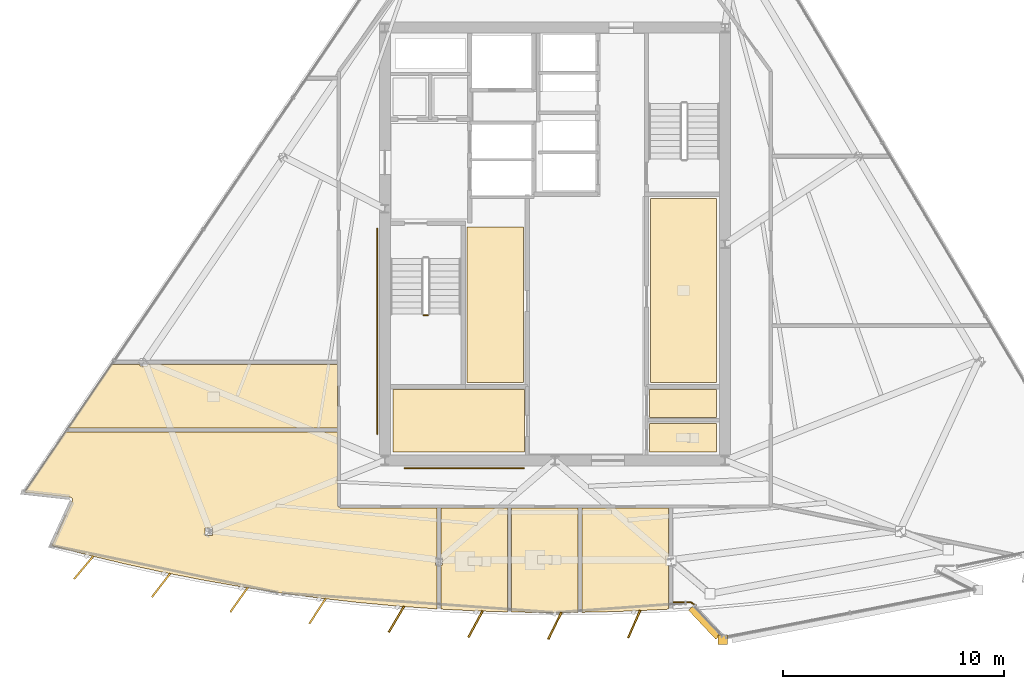
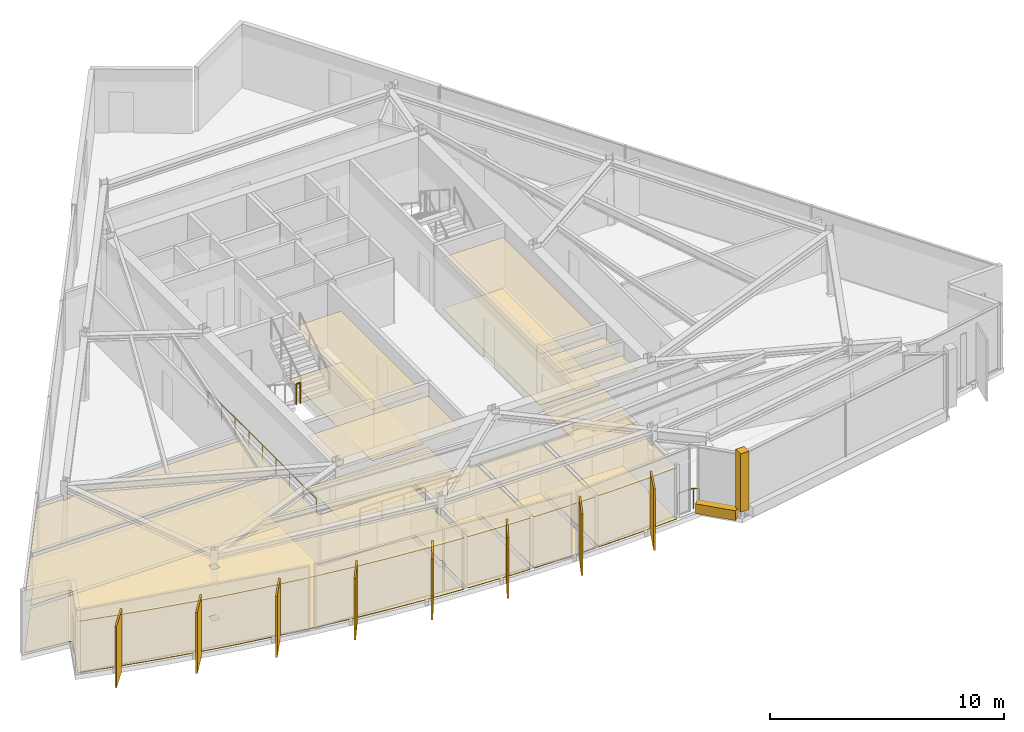
# One storey, part 9 of 12: 22 coverings, 8 shading devices, 4 railings.
"""IFC4 building model written with IfcOpenShell, lengths in metres."""

from ifc_helpers import new_model, si_unit, direction, frame, origin, origin_2d, place, context, subcontext, project, spatial, polyline, rectangle, circle, outline, extrude, material, layer, layer_set, type_object, element, save


model = new_model("IFC4")

# Units and contexts
model_context = context("Model", 3, precision=1e-05, world=origin(), true_north=direction((0.0, 1.0)))
body_context = subcontext(model_context, "Body", "Model", "MODEL_VIEW")
ifc_project = project(units=[si_unit("LENGTHUNIT", "METRE"), si_unit("AREAUNIT", "SQUARE_METRE"), si_unit("VOLUMEUNIT", "CUBIC_METRE"), si_unit("PLANEANGLEUNIT", "RADIAN"), si_unit("MASSUNIT", "GRAM", prefix="KILO")], contexts=[model_context])

# Site, building, storey
site_placement = place(None, origin())
site = spatial("IfcSite", under=ifc_project, at=site_placement, CompositionType="ELEMENT")
building_placement = place(site_placement, origin())
building = spatial("IfcBuilding", under=site, at=building_placement, Name="Savorim Split Tower", CompositionType="ELEMENT")
storey_placement = place(building_placement, frame((0.0, 0.0, 261.60009765625)))
storey = spatial("IfcBuildingStorey", under=building, at=storey_placement, Name="L69", CompositionType="ELEMENT", Elevation=261.60009765625)

# Coverings
ifc_material_1 = material(Name="Mineral Fibre Acoustic Ceiling")
ifc_layer_1 = layer(ifc_material_1, 0.02490234375)
ifc_layer_set_1 = layer_set([ifc_layer_1], Name="COV-CEIL-25")
covering_type_1 = type_object("IfcCoveringType", Name="COV-CEIL-25", PredefinedType="CEILING", material=ifc_layer_set_1)
covering_1_placement = place(storey_placement, frame((0.0, 0.0, 2.669921875)))
element("IfcCovering", 1, at=covering_1_placement, inside=storey, type_object=covering_type_1, Name="L69 Community Laundry Room Acoustic Ceiling", PredefinedType="CEILING", context=body_context, shape_type="SweptSolid", body=[
    extrude(outline(polyline([(4.330078125, 2.469970703125), (4.330078125, -5.8701171875), (7.320068359375, -5.8701171875), (7.320068359375, 2.469970703125), (4.330078125, 2.469970703125)])), origin(), (0.0, 0.0, 1.0), 0.02490234375),
])
covering_2_placement = place(storey_placement, frame((0.0, 0.0, 2.669921875)))
element("IfcCovering", 2, at=covering_2_placement, inside=storey, type_object=covering_type_1, Name="L69 Quiet Study Room Acoustic Ceiling", PredefinedType="CEILING", context=body_context, shape_type="SweptSolid", body=[
    extrude(outline(polyline([(-3.969970703125, 1.169921875), (-3.969970703125, -5.8701171875), (-1.429931640625, -5.8701171875), (-1.429931640625, 1.169921875), (-3.969970703125, 1.169921875)])), origin(), (0.0, 0.0, 1.0), 0.02490234375),
])
covering_3_placement = place(storey_placement, frame((0.0, 0.0, 2.669921875)))
element("IfcCovering", 3, at=covering_3_placement, inside=storey, type_object=covering_type_1, Name="L69 Housekeeping Store Acoustic Ceiling", PredefinedType="CEILING", context=body_context, shape_type="SweptSolid", body=[
    extrude(outline(polyline([(-7.320068359375, -6.179931640625), (-7.320068359375, -9.02001953125), (-1.3798828125, -9.02001953125), (-1.3798828125, -6.179931640625), (-7.320068359375, -6.179931640625)])), origin(), (0.0, 0.0, 1.0), 0.02490234375),
])
covering_4_placement = place(storey_placement, frame((0.0, 0.0, 2.669921875)))
element("IfcCovering", 4, at=covering_4_placement, inside=storey, type_object=covering_type_1, Name="L69 Accessible WC Acoustic Ceiling", PredefinedType="CEILING", context=body_context, shape_type="SweptSolid", body=[
    extrude(outline(polyline([(4.280029296875, -7.719970703125), (4.280029296875, -9.02001953125), (7.320068359375, -9.02001953125), (7.320068359375, -7.719970703125), (4.280029296875, -7.719970703125)])), origin(), (0.0, 0.0, 1.0), 0.02490234375),
])
covering_5_placement = place(storey_placement, frame((0.0, 0.0, 2.669921875)))
element("IfcCovering", 5, at=covering_5_placement, inside=storey, type_object=covering_type_1, Name="L69 Cleaning Store Acoustic Ceiling", PredefinedType="CEILING", context=body_context, shape_type="SweptSolid", body=[
    extrude(outline(polyline([(4.280029296875, -6.179931640625), (4.280029296875, -7.43994140625), (7.320068359375, -7.43994140625), (7.320068359375, -6.179931640625), (4.280029296875, -6.179931640625)])), origin(), (0.0, 0.0, 1.0), 0.02490234375),
])
covering_6_placement = place(storey_placement, frame((0.0, 0.0, 2.669921875)))
element("IfcCovering", 6, at=covering_6_placement, inside=storey, type_object=covering_type_1, Name="L69 Shared Kitchen Acoustic Ceiling", PredefinedType="CEILING", context=body_context, shape_type="SweptSolid", body=[
    extrude(outline(polyline([(-19.9482421875, -5.045654296875), (-20.043212890625, -5.045654296875), (-20.043212890625, -5.00146484375), (-22.026123046875, -7.916259765625), (-9.840087890625, -7.916259765625), (-9.840087890625, -5.045654296875), (-18.448486328125, -5.045654296875), (-18.448486328125, -5.12548828125), (-18.777587890625, -5.12548828125), (-18.777587890625, -5.045654296875), (-19.9482421875, -5.045654296875)])), origin(), (0.0, 0.0, 1.0), 0.02490234375),
])
covering_7_placement = place(storey_placement, frame((0.0, 0.0, 2.669921875)))
element("IfcCovering", 7, at=covering_7_placement, inside=storey, type_object=covering_type_1, Name="L69 Co-Working Commons Acoustic Ceiling", PredefinedType="CEILING", context=body_context, shape_type="SweptSolid", body=[
    extrude(outline(polyline([(-21.83837890625, -11.17236328125), (-21.83837890625, -11.18408203125), (-21.839111328125, -11.196044921875), (-21.84130859375, -11.2080078125), (-21.8447265625, -11.21923828125), (-21.84912109375, -11.23046875), (-22.7783203125, -13.2529296875), (-21.18994140625, -13.668212890625), (-19.45556640625, -14.084228515625), (-17.712890625, -14.464599609375), (-15.962646484375, -14.80908203125), (-14.2060546875, -15.117919921875), (-12.443359375, -15.390380859375), (-10.67529296875, -15.626953125), (-8.90283203125, -15.827392578125), (-7.126953125, -15.991455078125), (-5.34765625, -16.118896484375), (-5.34619140625, -16.119140625), (-5.34619140625, -14.14013671875), (-5.415771484375, -14.14013671875), (-5.415771484375, -13.7900390625), (-5.34619140625, -13.7900390625), (-5.34619140625, -11.5400390625), (-9.699951171875, -11.5400390625), (-9.713623046875, -11.539306640625), (-9.727294921875, -11.537353515625), (-9.740478515625, -11.533935546875), (-9.753662109375, -11.529296875), (-9.76611328125, -11.5234375), (-9.77783203125, -11.516357421875), (-9.788818359375, -11.50830078125), (-9.799072265625, -11.4990234375), (-9.80810546875, -11.48876953125), (-9.81640625, -11.477783203125), (-9.823486328125, -11.466064453125), (-9.829345703125, -11.45361328125), (-9.833984375, -11.440673828125), (-9.83740234375, -11.42724609375), (-9.83935546875, -11.413818359375), (-9.840087890625, -11.39990234375), (-9.840087890625, -8.106201171875), (-22.1552734375, -8.106201171875), (-24.0087890625, -10.83056640625), (-21.94482421875, -11.06103515625), (-21.93310546875, -11.06298828125), (-21.921630859375, -11.06591796875), (-21.910400390625, -11.0703125), (-21.899658203125, -11.075439453125), (-21.8896484375, -11.081787109375), (-21.880126953125, -11.089111328125), (-21.87158203125, -11.097412109375), (-21.86376953125, -11.1064453125), (-21.856689453125, -11.1162109375), (-21.850830078125, -11.12646484375), (-21.84619140625, -11.137451171875), (-21.84228515625, -11.148681640625), (-21.83984375, -11.160400390625), (-21.83837890625, -11.17236328125)]), holes=[polyline([(-15.8330078125, -12.802490234375), (-15.50390625, -12.802490234375), (-15.50390625, -12.45263671875), (-15.8330078125, -12.45263671875), (-15.8330078125, -12.802490234375)])]), origin(), (0.0, 0.0, 1.0), 0.02490234375),
])
covering_8_placement = place(storey_placement, frame((0.0, 0.0, 2.669921875)))
element("IfcCovering", 8, at=covering_8_placement, inside=storey, type_object=covering_type_1, Name="L69 Shared Bathroom Acoustic Ceiling", PredefinedType="CEILING", context=body_context, shape_type="SweptSolid", body=[
    extrude(outline(polyline([(-5.15625, -16.073974609375), (-5.15625, -16.12890625), (-3.56640625, -16.210205078125), (-2.1494140625, -16.253662109375), (-2.1494140625, -11.5400390625), (-5.15625, -11.5400390625), (-5.15625, -13.7900390625), (-5.0869140625, -13.7900390625), (-5.0869140625, -14.14013671875), (-5.15625, -14.14013671875), (-5.15625, -16.073974609375)])), origin(), (0.0, 0.0, 1.0), 0.02490234375),
])
covering_9_placement = place(storey_placement, frame((0.0, 0.0, 2.669921875)))
element("IfcCovering", 9, at=covering_9_placement, inside=storey, type_object=covering_type_1, Name="L69 Shared Bathroom Acoustic Ceiling", PredefinedType="CEILING", context=body_context, shape_type="SweptSolid", body=[
    extrude(outline(polyline([(-1.95947265625, -16.259521484375), (-1.783447265625, -16.264892578125), (0.0, -16.283203125), (1.047607421875, -16.2724609375), (1.047607421875, -11.5400390625), (-1.95947265625, -11.5400390625), (-1.95947265625, -16.259521484375)])), origin(), (0.0, 0.0, 1.0), 0.02490234375),
])
covering_10_placement = place(storey_placement, frame((0.0, 0.0, 2.669921875)))
element("IfcCovering", 10, at=covering_10_placement, inside=storey, type_object=covering_type_1, Name="L69 Co-Living Bedroom Acoustic Ceiling", PredefinedType="CEILING", context=body_context, shape_type="SweptSolid", body=[
    extrude(outline(polyline([(1.237548828125, -11.5400390625), (1.237548828125, -16.2705078125), (1.783447265625, -16.264892578125), (3.56640625, -16.210205078125), (5.15625, -16.12890625), (5.15625, -14.14013671875), (5.0869140625, -14.14013671875), (5.0869140625, -13.7900390625), (5.15625, -13.7900390625), (5.15625, -11.5400390625), (1.237548828125, -11.5400390625)])), origin(), (0.0, 0.0, 1.0), 0.02490234375),
])
ifc_material_2 = material(Name="Porcelain Stoneware Flooring", Category="masonry")
ifc_layer_2 = layer(ifc_material_2, 0.02001953125)
ifc_layer_set_2 = layer_set([ifc_layer_2], Name="COV-FLOR-20")
covering_type_2 = type_object("IfcCoveringType", Name="COV-FLOR-20", PredefinedType="FLOORING", material=ifc_layer_set_2)
covering_11_placement = place(storey_placement, origin())
element("IfcCovering", 11, at=covering_11_placement, inside=storey, type_object=covering_type_2, Name="L69 Community Laundry Room Porcelain Flooring", PredefinedType="FLOORING", context=body_context, shape_type="SweptSolid", body=[
    extrude(outline(polyline([(4.330078125, 2.469970703125), (4.330078125, -5.8701171875), (7.320068359375, -5.8701171875), (7.320068359375, 2.469970703125), (4.330078125, 2.469970703125)])), origin(), (0.0, 0.0, 1.0), 0.02001953125),
])
covering_12_placement = place(storey_placement, origin())
element("IfcCovering", 12, at=covering_12_placement, inside=storey, type_object=covering_type_2, Name="L69 Quiet Study Room Porcelain Flooring", PredefinedType="FLOORING", context=body_context, shape_type="SweptSolid", body=[
    extrude(outline(polyline([(-3.969970703125, 1.169921875), (-3.969970703125, -5.8701171875), (-1.429931640625, -5.8701171875), (-1.429931640625, 1.169921875), (-3.969970703125, 1.169921875)])), origin(), (0.0, 0.0, 1.0), 0.02001953125),
])
covering_13_placement = place(storey_placement, origin())
element("IfcCovering", 13, at=covering_13_placement, inside=storey, type_object=covering_type_2, Name="L69 Housekeeping Store Porcelain Flooring", PredefinedType="FLOORING", context=body_context, shape_type="SweptSolid", body=[
    extrude(outline(polyline([(-7.320068359375, -6.179931640625), (-7.320068359375, -9.02001953125), (-1.3798828125, -9.02001953125), (-1.3798828125, -6.179931640625), (-7.320068359375, -6.179931640625)])), origin(), (0.0, 0.0, 1.0), 0.02001953125),
])
covering_14_placement = place(storey_placement, origin())
element("IfcCovering", 14, at=covering_14_placement, inside=storey, type_object=covering_type_2, Name="L69 Accessible WC Porcelain Flooring", PredefinedType="FLOORING", context=body_context, shape_type="SweptSolid", body=[
    extrude(outline(polyline([(4.280029296875, -7.719970703125), (4.280029296875, -9.02001953125), (7.320068359375, -9.02001953125), (7.320068359375, -7.719970703125), (4.280029296875, -7.719970703125)])), origin(), (0.0, 0.0, 1.0), 0.02001953125),
])
covering_15_placement = place(storey_placement, origin())
element("IfcCovering", 15, at=covering_15_placement, inside=storey, type_object=covering_type_2, Name="L69 Cleaning Store Porcelain Flooring", PredefinedType="FLOORING", context=body_context, shape_type="SweptSolid", body=[
    extrude(outline(polyline([(4.280029296875, -6.179931640625), (4.280029296875, -7.43994140625), (7.320068359375, -7.43994140625), (7.320068359375, -6.179931640625), (4.280029296875, -6.179931640625)])), origin(), (0.0, 0.0, 1.0), 0.02001953125),
])
covering_16_placement = place(storey_placement, origin())
element("IfcCovering", 16, at=covering_16_placement, inside=storey, type_object=covering_type_2, Name="L69 Shared Kitchen Porcelain Flooring", PredefinedType="FLOORING", context=body_context, shape_type="SweptSolid", body=[
    extrude(outline(polyline([(-19.9482421875, -5.045654296875), (-20.043212890625, -5.045654296875), (-20.043212890625, -5.00146484375), (-22.026123046875, -7.916259765625), (-9.840087890625, -7.916259765625), (-9.840087890625, -5.045654296875), (-18.448486328125, -5.045654296875), (-18.448486328125, -5.12548828125), (-18.777587890625, -5.12548828125), (-18.777587890625, -5.045654296875), (-19.9482421875, -5.045654296875)])), origin(), (0.0, 0.0, 1.0), 0.02001953125),
])
covering_17_placement = place(storey_placement, origin())
element("IfcCovering", 17, at=covering_17_placement, inside=storey, type_object=covering_type_2, Name="L69 Co-Working Commons Porcelain Flooring", PredefinedType="FLOORING", context=body_context, shape_type="SweptSolid", body=[
    extrude(outline(polyline([(-21.83837890625, -11.17236328125), (-21.83837890625, -11.18408203125), (-21.839111328125, -11.196044921875), (-21.84130859375, -11.2080078125), (-21.8447265625, -11.21923828125), (-21.84912109375, -11.23046875), (-22.7783203125, -13.2529296875), (-21.18994140625, -13.668212890625), (-19.45556640625, -14.084228515625), (-17.712890625, -14.464599609375), (-15.962646484375, -14.80908203125), (-14.2060546875, -15.117919921875), (-12.443359375, -15.390380859375), (-10.67529296875, -15.626953125), (-8.90283203125, -15.827392578125), (-7.126953125, -15.991455078125), (-5.34765625, -16.118896484375), (-5.34619140625, -16.119140625), (-5.34619140625, -14.14013671875), (-5.415771484375, -14.14013671875), (-5.415771484375, -13.7900390625), (-5.34619140625, -13.7900390625), (-5.34619140625, -11.5400390625), (-9.699951171875, -11.5400390625), (-9.713623046875, -11.539306640625), (-9.727294921875, -11.537353515625), (-9.740478515625, -11.533935546875), (-9.753662109375, -11.529296875), (-9.76611328125, -11.5234375), (-9.77783203125, -11.516357421875), (-9.788818359375, -11.50830078125), (-9.799072265625, -11.4990234375), (-9.80810546875, -11.48876953125), (-9.81640625, -11.477783203125), (-9.823486328125, -11.466064453125), (-9.829345703125, -11.45361328125), (-9.833984375, -11.440673828125), (-9.83740234375, -11.42724609375), (-9.83935546875, -11.413818359375), (-9.840087890625, -11.39990234375), (-9.840087890625, -8.106201171875), (-22.1552734375, -8.106201171875), (-24.0087890625, -10.83056640625), (-21.94482421875, -11.06103515625), (-21.93310546875, -11.06298828125), (-21.921630859375, -11.06591796875), (-21.910400390625, -11.0703125), (-21.899658203125, -11.075439453125), (-21.8896484375, -11.081787109375), (-21.880126953125, -11.089111328125), (-21.87158203125, -11.097412109375), (-21.86376953125, -11.1064453125), (-21.856689453125, -11.1162109375), (-21.850830078125, -11.12646484375), (-21.84619140625, -11.137451171875), (-21.84228515625, -11.148681640625), (-21.83984375, -11.160400390625), (-21.83837890625, -11.17236328125)]), holes=[polyline([(-15.8330078125, -12.802490234375), (-15.50390625, -12.802490234375), (-15.50390625, -12.45263671875), (-15.8330078125, -12.45263671875), (-15.8330078125, -12.802490234375)])]), origin(), (0.0, 0.0, 1.0), 0.02001953125),
])
covering_18_placement = place(storey_placement, origin())
element("IfcCovering", 18, at=covering_18_placement, inside=storey, type_object=covering_type_2, Name="L69 Shared Bathroom Porcelain Flooring", PredefinedType="FLOORING", context=body_context, shape_type="SweptSolid", body=[
    extrude(outline(polyline([(-5.15625, -16.073974609375), (-5.15625, -16.12890625), (-3.56640625, -16.210205078125), (-2.1494140625, -16.253662109375), (-2.1494140625, -11.5400390625), (-5.15625, -11.5400390625), (-5.15625, -13.7900390625), (-5.0869140625, -13.7900390625), (-5.0869140625, -14.14013671875), (-5.15625, -14.14013671875), (-5.15625, -16.073974609375)])), origin(), (0.0, 0.0, 1.0), 0.02001953125),
])
covering_19_placement = place(storey_placement, origin())
element("IfcCovering", 19, at=covering_19_placement, inside=storey, type_object=covering_type_2, Name="L69 Shared Bathroom Porcelain Flooring", PredefinedType="FLOORING", context=body_context, shape_type="SweptSolid", body=[
    extrude(outline(polyline([(-1.95947265625, -16.259521484375), (-1.783447265625, -16.264892578125), (0.0, -16.283203125), (1.047607421875, -16.2724609375), (1.047607421875, -11.5400390625), (-1.95947265625, -11.5400390625), (-1.95947265625, -16.259521484375)])), origin(), (0.0, 0.0, 1.0), 0.02001953125),
])
covering_20_placement = place(storey_placement, origin())
element("IfcCovering", 20, at=covering_20_placement, inside=storey, type_object=covering_type_2, Name="L69 Co-Living Bedroom Porcelain Flooring", PredefinedType="FLOORING", context=body_context, shape_type="SweptSolid", body=[
    extrude(outline(polyline([(1.237548828125, -11.5400390625), (1.237548828125, -16.2705078125), (1.783447265625, -16.264892578125), (3.56640625, -16.210205078125), (5.15625, -16.12890625), (5.15625, -14.14013671875), (5.0869140625, -14.14013671875), (5.0869140625, -13.7900390625), (5.15625, -13.7900390625), (5.15625, -11.5400390625), (1.237548828125, -11.5400390625)])), origin(), (0.0, 0.0, 1.0), 0.02001953125),
])
ifc_material_3 = material(Name="White Porcelain Architectural Cladding")
ifc_layer_3 = layer(ifc_material_3, 0.139892578125)
ifc_layer_set_3 = layer_set([ifc_layer_3], Name="COV-FRM-WHITE")
covering_type_3 = type_object("IfcCoveringType", Name="COV-FRM-WHITE", PredefinedType="CLADDING", material=ifc_layer_set_3)
covering_21_placement = place(storey_placement, frame((0.0, 0.0, 0.010009765625)))
element("IfcCovering", 21, at=covering_21_placement, inside=storey, type_object=covering_type_3, Name="L69 Cantilevered Lounge White Lower Frame Band W", PredefinedType="CLADDING", context=body_context, shape_type="SweptSolid", body=[
    extrude(outline(polyline([(6.05224609375, -16.179443359375), (7.283203125, -17.49267578125), (7.53125, -17.260009765625), (6.30029296875, -15.94677734375), (6.05224609375, -16.179443359375)])), origin(), (0.0, 0.0, 1.0), 0.510009765625),
])
covering_22_placement = place(storey_placement, frame((0.0, 0.0, 0.539794921875)))
element("IfcCovering", 22, at=covering_22_placement, inside=storey, type_object=covering_type_3, Name="L69 Cantilevered Lounge White Frame Corner Post 1", PredefinedType="CLADDING", context=body_context, shape_type="SweptSolid", body=[
    extrude(outline(polyline([(7.397705078125, -17.727294921875), (7.81787109375, -17.727294921875), (7.81787109375, -17.307373046875), (7.397705078125, -17.307373046875), (7.397705078125, -17.727294921875)])), origin(), (0.0, 0.0, 1.0), 3.050048828125),
])

# Railings
ifc_material_4 = material(Name="Galvanised Painted Steel Balustrade", Category="steel")
railing_type_1 = type_object("IfcRailingType", Name="RLG-BAL-1100", PredefinedType="BALUSTRADE", material=ifc_material_4)
railing_1_placement = place(storey_placement, frame((5.3779296875, -15.820556640625, 0.0)))
element("IfcRailing", 23, at=railing_1_placement, inside=storey, type_object=railing_type_1, Name="L69 Cantilevered Lounge West Edge Closure Guard", PredefinedType="BALUSTRADE", context=body_context, shape_type="SweptSolid", body=[
    extrude(circle(Radius=0.02392578125, at=origin_2d()), frame((0.0, 0.0, 1.076171875), z_axis=(1.0, 0.0, 0.0), x_axis=(0.0, 1.0, 0.0)), (0.0, 0.0, 1.0), 0.780029296875),
    extrude(circle(Radius=0.02392578125, at=origin_2d()), frame((0.780029296875, 0.0, 1.076171875), z_axis=(0.85212835353, -0.523332847345, 0.0), x_axis=(0.523332847345, 0.85212835353, 0.0)), (0.0, 0.0, 1.0), 0.267333984375),
    extrude(circle(Radius=0.02099609375, at=origin_2d()), origin(), (0.0, 0.0, 1.0), 1.052001953125),
    extrude(circle(Radius=0.02099609375, at=origin_2d()), frame((0.780029296875, 0.0, 0.0)), (0.0, 0.0, 1.0), 1.052001953125),
    extrude(circle(Radius=0.02099609375, at=origin_2d()), frame((1.0078125, -0.139892578125, 0.0)), (0.0, 0.0, 1.0), 1.052001953125),
])
railing_type_2 = type_object("IfcRailingType", Name="RLG-HR-900", PredefinedType="HANDRAIL", material=ifc_material_4)
railing_2_placement = place(storey_placement, frame((-6.800048828125, -9.75, 0.0)))
element("IfcRailing", 24, at=railing_2_placement, inside=storey, type_object=railing_type_2, Name="L69 Corridor South Accessible Handrail", PredefinedType="HANDRAIL", context=body_context, shape_type="SweptSolid", body=[
    extrude(circle(Radius=0.02392578125, at=origin_2d()), frame((0.0, 0.0, 0.8759765625), z_axis=(1.0, 0.0, 0.0), x_axis=(0.0, 1.0, 0.0)), (0.0, 0.0, 1.0), 5.400146484375),
    extrude(circle(Radius=0.02099609375, at=origin_2d()), origin(), (0.0, 0.0, 1.0), 0.851806640625),
    extrude(circle(Radius=0.02099609375, at=origin_2d()), frame((1.080078125, 0.0, 0.0)), (0.0, 0.0, 1.0), 0.851806640625),
    extrude(circle(Radius=0.02099609375, at=origin_2d()), frame((2.16015625, 0.0, 0.0)), (0.0, 0.0, 1.0), 0.851806640625),
    extrude(circle(Radius=0.02099609375, at=origin_2d()), frame((3.239990234375, 0.0, 0.0)), (0.0, 0.0, 1.0), 0.851806640625),
    extrude(circle(Radius=0.02099609375, at=origin_2d()), frame((4.320068359375, 0.0, 0.0)), (0.0, 0.0, 1.0), 0.851806640625),
    extrude(circle(Radius=0.02099609375, at=origin_2d()), frame((5.400146484375, 0.0, 0.0)), (0.0, 0.0, 1.0), 0.851806640625),
])
railing_3_placement = place(storey_placement, frame((-8.050048828125, -8.199951171875, 0.0)))
element("IfcRailing", 25, at=railing_3_placement, inside=storey, type_object=railing_type_2, Name="L69 Corridor West Accessible Handrail", PredefinedType="HANDRAIL", context=body_context, shape_type="SweptSolid", body=[
    extrude(circle(Radius=0.02392578125, at=origin_2d()), frame((0.0, 0.0, 0.8759765625), z_axis=(0.0, 1.0, 0.0), x_axis=(-1.0, 0.0, 0.0)), (0.0, 0.0, 1.0), 9.300048828125),
    extrude(circle(Radius=0.02099609375, at=origin_2d()), origin(), (0.0, 0.0, 1.0), 0.851806640625),
    extrude(circle(Radius=0.02099609375, at=origin_2d()), frame((0.0, 1.16259765625, 0.0)), (0.0, 0.0, 1.0), 0.851806640625),
    extrude(circle(Radius=0.02099609375, at=origin_2d()), frame((0.0, 2.324951171875, 0.0)), (0.0, 0.0, 1.0), 0.851806640625),
    extrude(circle(Radius=0.02099609375, at=origin_2d()), frame((0.0, 3.487548828125, 0.0)), (0.0, 0.0, 1.0), 0.851806640625),
    extrude(circle(Radius=0.02099609375, at=origin_2d()), frame((0.0, 4.64990234375, 0.0)), (0.0, 0.0, 1.0), 0.851806640625),
    extrude(circle(Radius=0.02099609375, at=origin_2d()), frame((0.0, 5.8125, 0.0)), (0.0, 0.0, 1.0), 0.851806640625),
    extrude(circle(Radius=0.02099609375, at=origin_2d()), frame((0.0, 6.97509765625, 0.0)), (0.0, 0.0, 1.0), 0.851806640625),
    extrude(circle(Radius=0.02099609375, at=origin_2d()), frame((0.0, 8.137451171875, 0.0)), (0.0, 0.0, 1.0), 0.851806640625),
    extrude(circle(Radius=0.02099609375, at=origin_2d()), frame((0.0, 9.300048828125, 0.0)), (0.0, 0.0, 1.0), 0.851806640625),
])
railing_type_3 = type_object("IfcRailingType", Name="RLG-STG-1100", PredefinedType="BALUSTRADE", material=ifc_material_4)
railing_4_placement = place(storey_placement, frame((-5.949951171875, -2.820068359375, 1.7998046875)))
element("IfcRailing", 26, at=railing_4_placement, inside=storey, type_object=railing_type_3, Name="L69 ST-1 stair guard 2", PredefinedType="BALUSTRADE", context=body_context, shape_type="SweptSolid", body=[
    extrude(circle(Radius=0.02392578125, at=origin_2d()), frame((0.0, 0.0, 1.076171875), z_axis=(1.0, 0.0, 0.0), x_axis=(0.0, 1.0, 0.0)), (0.0, 0.0, 1.0), 0.199951171875),
    extrude(circle(Radius=0.02099609375, at=origin_2d()), origin(), (0.0, 0.0, 1.0), 1.052001953125),
    extrude(circle(Radius=0.02099609375, at=origin_2d()), frame((0.199951171875, 0.0, 0.0)), (0.0, 0.0, 1.0), 1.052001953125),
])

# Shading devices
ifc_material_5 = material(Name="Terracotta Ceramic-Coated Aluminium Fin", Category="masonry")
shading_device_type = type_object("IfcShadingDeviceType", Name="SHD-FIN-1360", PredefinedType="USERDEFINED", material=ifc_material_5)
for number, where, z_axis, x_axis, name in (
    (27, (-21.3349609375, -14.246337890625, -0.2001953125), (0.0, 0.0, 1.0), (-0.643719022682, -0.765261928909, 0.0), "L69 Sawtooth Shading Fin 01"),
    (28, (-17.833984375, -15.048095703125, -0.2001953125), (0.0, 0.0, 1.0), (-0.611868076908, -0.790959832394, 0.0), "L69 Sawtooth Shading Fin 02"),
    (29, (-14.302978515625, -15.705810546875, -0.2001953125), (0.0, 0.0, 1.0), (-0.578993757737, -0.815331974414, 0.0), "L69 Sawtooth Shading Fin 03"),
    (30, (-10.748291015625, -16.218505859375, -0.2001953125), (0.0, 0.0, 1.0), (-0.545148321708, -0.838339613366, 0.0), "L69 Sawtooth Shading Fin 04"),
    (31, (-7.175537109375, -16.58544921875, -0.2001953125), (0.0, 0.0, 1.0), (-0.510391336723, -0.859942255851, 0.0), "L69 Sawtooth Shading Fin 05"),
    (32, (-3.5908203125, -16.8056640625, -0.2001953125), (0.0, 0.0, 1.0), (-0.474778051978, -0.880105562623, 0.0), "L69 Sawtooth Shading Fin 06"),
    (33, (0.0, -16.879150390625, -0.2001953125), (0.0, 0.0, 1.0), (-0.438371146789, -0.898794046299, 0.0), "L69 Sawtooth Shading Fin 07"),
    (34, (3.5908203125, -16.8056640625, -0.2001953125), (0.0, 0.0, 1.0), (-0.401230091723, -0.915977299662, 0.0), "L69 Sawtooth Shading Fin 08"),
):
    element("IfcShadingDevice", number, at=place(storey_placement, frame(where, z_axis=z_axis, x_axis=x_axis)), inside=storey, type_object=shading_device_type, Name=name, ObjectType="FIN", PredefinedType="USERDEFINED", context=body_context, shape_type="SweptSolid", body=[
        extrude(rectangle(XDim=1.360107421875, YDim=0.080078125, at=origin_2d()), origin(), (0.0, 0.0, 1.0), 3.199951171875),
    ])

save(model, "model.ifc")
